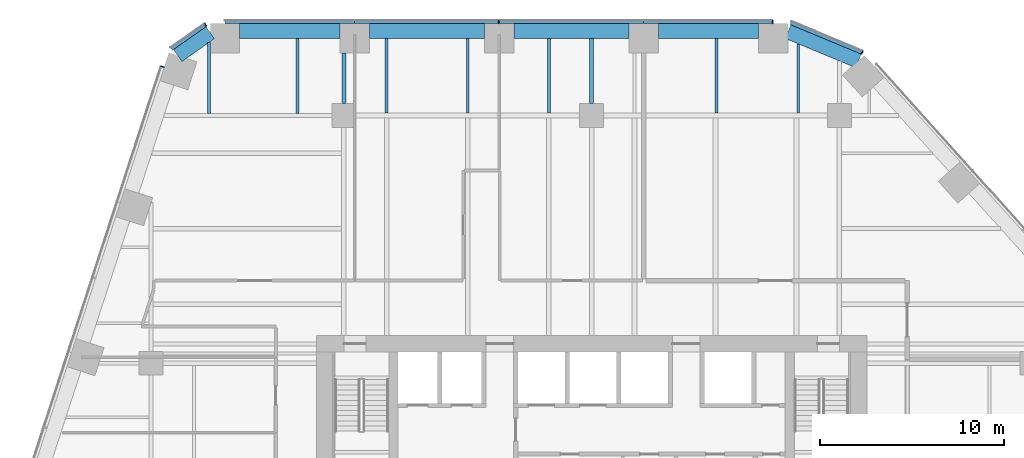
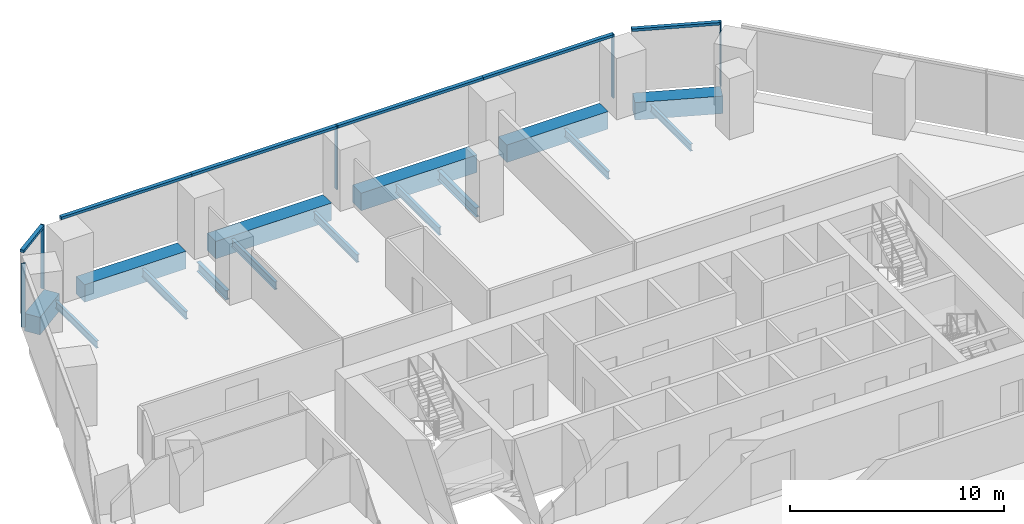
# One storey, part 12 of 19: 15 beams, 11 members, 4 elements without a shape of their own.
"""IFC4 building model written with IfcOpenShell, lengths in metres."""

from ifc_helpers import new_model, si_unit, direction, frame, origin, origin_2d, place, context, subcontext, project, spatial, rectangle, i_section, extrude, material, layer, layer_set, material_profile, profile_set, type_object, element, aggregate, save


model = new_model("IFC4")

# Units and contexts
model_context = context("Model", 3, precision=1e-05, world=origin(), true_north=direction((0.0, 1.0)))
body_context = subcontext(model_context, "Body", "Model", "MODEL_VIEW")
ifc_project = project(units=[si_unit("LENGTHUNIT", "METRE"), si_unit("AREAUNIT", "SQUARE_METRE"), si_unit("VOLUMEUNIT", "CUBIC_METRE"), si_unit("PLANEANGLEUNIT", "RADIAN"), si_unit("MASSUNIT", "GRAM", prefix="KILO")], contexts=[model_context])

# Site, building, storey
site_placement = place(None, origin())
site = spatial("IfcSite", under=ifc_project, at=site_placement, CompositionType="ELEMENT")
building_placement = place(site_placement, origin())
building = spatial("IfcBuilding", under=site, at=building_placement, Name="Isthmus Gate Tower", CompositionType="ELEMENT")
storey_placement = place(building_placement, frame((0.0, 0.0, 91.60009765625)))
storey = spatial("IfcBuildingStorey", under=building, at=storey_placement, Name="L21", CompositionType="ELEMENT", Elevation=91.60009765625)

# Curtain wall, members
ifc_material_1 = material(Name="Aluminium, pale champagne anodised", Category="aluminium")
ifc_layer = layer(ifc_material_1, 0.199951171875)
ifc_layer_set = layer_set([ifc_layer], Name="CW-1 UNITISED CURTAIN WALL 200 DEEP")
curtain_wall_type = type_object("IfcCurtainWallType", Name="CW-1 UNITISED CURTAIN WALL 200 DEEP", PredefinedType="NOTDEFINED", material=ifc_layer_set)
curtain_wall_1_placement = place(storey_placement, origin())
curtain_wall_1 = element("IfcCurtainWall", 1, at=curtain_wall_1_placement, inside=storey, type_object=curtain_wall_type, Name="CW-1 N L21", PredefinedType="NOTDEFINED")
ifc_material_2 = material(Name="Aluminium, pale champagne anodised", Category="aluminium")
ifc_material_profile_1 = material_profile(ifc_material_2, rectangle(XDim=0.06005859375, YDim=0.199951171875, at=origin_2d()), Name="60x200")
ifc_profile_set_1 = profile_set([ifc_material_profile_1], Name="Aluminium, pale champagne anodised")
member_type_1 = type_object("IfcMemberType", Name="CW-1 MULLION 60 X 200", PredefinedType="MULLION", material=ifc_profile_set_1)
member_1_placement = place(storey_placement, frame((9.871826171875, 32.10009765625, 0.0), z_axis=(0.0, 0.0, 1.0), x_axis=(-1.0, 0.0, 0.0)))
member_1 = element("IfcMember", 2, at=member_1_placement, type_object=member_type_1, Name="CW-1 mullion", PredefinedType="MULLION", context=body_context, shape_type="SweptSolid", body=[
    extrude(rectangle(XDim=0.06005859375, YDim=0.199951171875, at=origin_2d()), origin(), (0.0, 0.0, 1.0), 3.64990234375),
])
member_2_placement = place(storey_placement, frame((-5.067138671875, 32.10009765625, 0.0), z_axis=(0.0, 0.0, 1.0), x_axis=(-1.0, 0.0, 0.0)))
member_2 = element("IfcMember", 3, at=member_2_placement, type_object=member_type_1, Name="CW-1 mullion", PredefinedType="MULLION", context=body_context, shape_type="SweptSolid", body=[
    extrude(rectangle(XDim=0.06005859375, YDim=0.199951171875, at=origin_2d()), origin(), (0.0, 0.0, 1.0), 3.64990234375),
])

# Curtain wall, member
curtain_wall_2_placement = place(storey_placement, origin())
curtain_wall_2 = element("IfcCurtainWall", 4, at=curtain_wall_2_placement, inside=storey, type_object=curtain_wall_type, Name="CW-1 N-NW L21", PredefinedType="NOTDEFINED")
member_3_placement = place(storey_placement, frame((-21.031005859375, 31.943115234375, 0.0), z_axis=(0.0, 0.0, 1.0), x_axis=(-0.81785959165, -0.57541783805, 0.0)))
member_3 = element("IfcMember", 5, at=member_3_placement, type_object=member_type_1, Name="CW-1 mullion", PredefinedType="MULLION", context=body_context, shape_type="SweptSolid", body=[
    extrude(rectangle(XDim=0.06005859375, YDim=0.199951171875, at=origin_2d()), origin(), (0.0, 0.0, 1.0), 3.64990234375),
])

curtain_wall_3_placement = place(storey_placement, origin())
curtain_wall_3 = element("IfcCurtainWall", 6, at=curtain_wall_3_placement, inside=storey, type_object=curtain_wall_type, Name="CW-1 NW L21", PredefinedType="NOTDEFINED")
member_4_placement = place(storey_placement, frame((-23.380615234375, 29.656494140625, 0.0), z_axis=(0.0, 0.0, 1.0), x_axis=(-0.309016994375, -0.951056516295, 0.0)))
member_4 = element("IfcMember", 7, at=member_4_placement, type_object=member_type_1, Name="CW-1 mullion", PredefinedType="MULLION", context=body_context, shape_type="SweptSolid", body=[
    extrude(rectangle(XDim=0.06005859375, YDim=0.199951171875, at=origin_2d()), origin(), (0.0, 0.0, 1.0), 3.64990234375),
])
aggregate(curtain_wall_3, [member_4])

curtain_wall_4_placement = place(storey_placement, origin())
curtain_wall_4 = element("IfcCurtainWall", 8, at=curtain_wall_4_placement, inside=storey, type_object=curtain_wall_type, Name="CW-1 NE-N L21", PredefinedType="NOTDEFINED")
member_5_placement = place(storey_placement, frame((14.744140625, 30.427490234375, 0.0), z_axis=(0.0, 0.0, 1.0), x_axis=(-0.923353128387, 0.383951820282, 0.0)))
member_5 = element("IfcMember", 9, at=member_5_placement, type_object=member_type_1, Name="CW-1 mullion", PredefinedType="MULLION", context=body_context, shape_type="SweptSolid", body=[
    extrude(rectangle(XDim=0.06005859375, YDim=0.199951171875, at=origin_2d()), origin(), (0.0, 0.0, 1.0), 3.64990234375),
])

# Member
ifc_material_3 = material(Name="Aluminium, pale champagne anodised", Category="aluminium")
ifc_material_profile_2 = material_profile(ifc_material_3, rectangle(XDim=0.199951171875, YDim=0.14990234375, at=origin_2d()), Name="200x150")
ifc_profile_set_2 = profile_set([ifc_material_profile_2], Name="Aluminium, pale champagne anodised")
member_type_2 = type_object("IfcMemberType", Name="CW-1 TRANSOM 200 X 150", PredefinedType="USERDEFINED", material=ifc_profile_set_2)
member_6_placement = place(storey_placement, frame((9.841796875, 32.10009765625, 3.574951171875), z_axis=(-1.0, 0.0, 0.0), x_axis=(0.0, -1.0, 0.0)))
member_6 = element("IfcMember", 10, at=member_6_placement, type_object=member_type_2, Name="CW-1 transom", ObjectType="TRANSOM", PredefinedType="USERDEFINED", context=body_context, shape_type="SweptSolid", body=[
    extrude(rectangle(XDim=0.199951171875, YDim=0.14990234375, at=origin_2d()), origin(), (0.0, 0.0, 1.0), 7.009521484375),
])

member_7_placement = place(storey_placement, frame((2.832275390625, 32.10009765625, 3.574951171875), z_axis=(-1.0, 0.0, 0.0), x_axis=(0.0, -1.0, 0.0)))
member_7 = element("IfcMember", 11, at=member_7_placement, type_object=member_type_2, Name="CW-1 transom", ObjectType="TRANSOM", PredefinedType="USERDEFINED", context=body_context, shape_type="SweptSolid", body=[
    extrude(rectangle(XDim=0.199951171875, YDim=0.14990234375, at=origin_2d()), origin(), (0.0, 0.0, 1.0), 7.869384765625),
])

member_8_placement = place(storey_placement, frame((-5.09716796875, 32.10009765625, 3.574951171875), z_axis=(-1.0, 0.0, 0.0), x_axis=(0.0, -1.0, 0.0)))
member_8 = element("IfcMember", 12, at=member_8_placement, type_object=member_type_2, Name="CW-1 transom", ObjectType="TRANSOM", PredefinedType="USERDEFINED", context=body_context, shape_type="SweptSolid", body=[
    extrude(rectangle(XDim=0.199951171875, YDim=0.14990234375, at=origin_2d()), origin(), (0.0, 0.0, 1.0), 7.8095703125),
])

member_9_placement = place(storey_placement, frame((-12.90673828125, 32.10009765625, 3.574951171875), z_axis=(-1.0, 0.0, 0.0), x_axis=(0.0, -1.0, 0.0)))
member_9 = element("IfcMember", 13, at=member_9_placement, type_object=member_type_2, Name="CW-1 transom", ObjectType="TRANSOM", PredefinedType="USERDEFINED", context=body_context, shape_type="SweptSolid", body=[
    extrude(rectangle(XDim=0.199951171875, YDim=0.14990234375, at=origin_2d()), origin(), (0.0, 0.0, 1.0), 7.069580078125),
])

aggregate(curtain_wall_1, [member_1, member_6, member_7, member_2, member_8, member_9])

member_10_placement = place(storey_placement, frame((-21.055419921875, 31.92578125, 3.574951171875), z_axis=(-0.817868595604, -0.575405040233, 0.0), x_axis=(0.575405040233, -0.817868595604, 0.0)))
member_10 = element("IfcMember", 14, at=member_10_placement, type_object=member_type_2, Name="CW-1 transom", ObjectType="TRANSOM", PredefinedType="USERDEFINED", context=body_context, shape_type="SweptSolid", body=[
    extrude(rectangle(XDim=0.199951171875, YDim=0.14990234375, at=origin_2d()), origin(), (0.0, 0.0, 1.0), 2.258544921875),
])

aggregate(curtain_wall_2, [member_3, member_10])

member_11_placement = place(storey_placement, frame((14.716552734375, 30.43896484375, 3.574951171875), z_axis=(-0.923358236369, 0.383939536033, 0.0), x_axis=(-0.383939536033, -0.923358236369, 0.0)))
member_11 = element("IfcMember", 15, at=member_11_placement, type_object=member_type_2, Name="CW-1 transom", ObjectType="TRANSOM", PredefinedType="USERDEFINED", context=body_context, shape_type="SweptSolid", body=[
    extrude(rectangle(XDim=0.199951171875, YDim=0.14990234375, at=origin_2d()), origin(), (0.0, 0.0, 1.0), 4.181640625),
])

aggregate(curtain_wall_4, [member_5, member_11])

# Beams
ifc_material_4 = material(Name="Concrete f'c 70 MPa", Category="concrete")
ifc_material_profile_3 = material_profile(ifc_material_4, rectangle(XDim=0.800048828125, YDim=1.0, at=origin_2d()), Name="RC 800X1000")
ifc_profile_set_3 = profile_set([ifc_material_profile_3], Name="Concrete f'c 70 MPa")
beam_type_1 = type_object("IfcBeamType", Name="RC SPANDREL 800 X 1000", PredefinedType="SPANDREL", material=ifc_profile_set_3)
beam_1_placement = place(storey_placement, frame((10.701904296875, 31.56689453125, -0.5), z_axis=(0.923334166719, -0.383997417399, 0.0), x_axis=(0.383997417399, 0.923334166719, 0.0)))
element("IfcBeam", 16, at=beam_1_placement, inside=storey, type_object=beam_type_1, Name="str-spandrel-L21-00", PredefinedType="SPANDREL", context=body_context, shape_type="SweptSolid", body=[
    extrude(rectangle(XDim=0.800048828125, YDim=1.0, at=origin_2d()), origin(), (0.0, 0.0, 1.0), 4.15234375),
])
beam_2_placement = place(storey_placement, frame((-22.553466796875, 30.260498046875, -0.5), z_axis=(0.817857331203, 0.575421050882, 0.0), x_axis=(-0.575421050882, 0.817857331203, 0.0)))
element("IfcBeam", 17, at=beam_2_placement, inside=storey, type_object=beam_type_1, Name="str-spandrel-L21-22", PredefinedType="SPANDREL", context=body_context, shape_type="SweptSolid", body=[
    extrude(rectangle(XDim=0.800048828125, YDim=1.0, at=origin_2d()), origin(), (0.0, 0.0, 1.0), 2.173095703125),
])
beam_3_placement = place(storey_placement, frame((-19.17626953125, 31.60009765625, -0.5), z_axis=(1.0, 0.0, 0.0), x_axis=(0.0, 1.0, 0.0)))
element("IfcBeam", 18, at=beam_3_placement, inside=storey, type_object=beam_type_1, Name="str-spandrel-L21-23", PredefinedType="SPANDREL", context=body_context, shape_type="SweptSolid", body=[
    extrude(rectangle(XDim=0.800048828125, YDim=1.0, at=origin_2d()), origin(), (0.0, 0.0, 1.0), 5.469482421875),
])
for number, where, z_axis, x_axis, name in (
    (19, (-12.106689453125, 31.60009765625, -0.5), (1.0, 0.0, 0.0), (0.0, 1.0, 0.0), "str-spandrel-L21-24"),
    (20, (-4.2373046875, 31.60009765625, -0.5), (1.0, 0.0, 0.0), (0.0, 1.0, 0.0), "str-spandrel-L21-25"),
):
    element("IfcBeam", number, at=place(storey_placement, frame(where, z_axis=z_axis, x_axis=x_axis)), inside=storey, type_object=beam_type_1, Name=name, PredefinedType="SPANDREL", context=body_context, shape_type="SweptSolid", body=[
        extrude(rectangle(XDim=0.800048828125, YDim=1.0, at=origin_2d()), origin(), (0.0, 0.0, 1.0), 6.26953125),
    ])
beam_4_placement = place(storey_placement, frame((3.63232421875, 31.60009765625, -0.5), z_axis=(1.0, 0.0, 0.0), x_axis=(0.0, 1.0, 0.0)))
element("IfcBeam", 21, at=beam_4_placement, inside=storey, type_object=beam_type_1, Name="str-spandrel-L21-26", PredefinedType="SPANDREL", context=body_context, shape_type="SweptSolid", body=[
    extrude(rectangle(XDim=0.800048828125, YDim=1.0, at=origin_2d()), origin(), (0.0, 0.0, 1.0), 5.469482421875),
])
ifc_material_5 = material(Name="Structural steel ASTM A992 Gr 50", Category="steel")
ifc_material_profile_4 = material_profile(ifc_material_5, i_section(OverallWidth=0.1396484375, OverallDepth=0.4033203125, WebThickness=0.00634765625, FlangeThickness=0.010986328125, at=origin_2d()), Name="W16X31")
ifc_profile_set_4 = profile_set([ifc_material_profile_4], Name="Structural steel ASTM A992 Gr 50")
beam_type_2 = type_object("IfcBeamType", Name="STEEL FLOOR BEAM W16X31", PredefinedType="JOIST", material=ifc_profile_set_4)
beam_5_placement = place(storey_placement, frame((-20.846435546875, 27.1142578125, -0.351806640625), z_axis=(0.0, 1.0, 0.0), x_axis=(-1.0, 0.0, 0.0)))
element("IfcBeam", 22, at=beam_5_placement, inside=storey, type_object=beam_type_2, Name="str-beam-L21-09-00", PredefinedType="JOIST", context=body_context, shape_type="SweptSolid", body=[
    extrude(i_section(OverallWidth=0.1396484375, OverallDepth=0.4033203125, WebThickness=0.00634765625, FlangeThickness=0.010986328125, at=origin_2d()), origin(), (0.0, 0.0, 1.0), 3.858154296875),
])
beam_6_placement = place(storey_placement, frame((11.267578125, 27.1318359375, -0.351806640625), z_axis=(0.0, 1.0, 0.0), x_axis=(-1.0, 0.0, 0.0)))
element("IfcBeam", 23, at=beam_6_placement, inside=storey, type_object=beam_type_2, Name="str-beam-L21-20-02", PredefinedType="JOIST", context=body_context, shape_type="SweptSolid", body=[
    extrude(i_section(OverallWidth=0.1396484375, OverallDepth=0.4033203125, WebThickness=0.00634765625, FlangeThickness=0.010986328125, at=origin_2d()), origin(), (0.0, 0.0, 1.0), 3.7666015625),
])
ifc_material_6 = material(Name="Structural steel ASTM A992 Gr 50", Category="steel")
ifc_material_profile_5 = material_profile(ifc_material_6, i_section(OverallWidth=0.15234375, OverallDepth=0.45068359375, WebThickness=0.0078125, FlangeThickness=0.010986328125, at=origin_2d()), Name="W18X35")
ifc_profile_set_5 = profile_set([ifc_material_profile_5], Name="Structural steel ASTM A992 Gr 50")
beam_type_3 = type_object("IfcBeamType", Name="STEEL FLOOR BEAM W18X35", PredefinedType="JOIST", material=ifc_profile_set_5)
beam_7_placement = place(storey_placement, frame((-16.0185546875, 27.1142578125, -0.37548828125), z_axis=(0.0, 1.0, 0.0), x_axis=(-1.0, 0.0, 0.0)))
element("IfcBeam", 24, at=beam_7_placement, inside=storey, type_object=beam_type_3, Name="str-beam-L21-09-01", PredefinedType="JOIST", context=body_context, shape_type="SweptSolid", body=[
    extrude(i_section(OverallWidth=0.15234375, OverallDepth=0.45068359375, WebThickness=0.0078125, FlangeThickness=0.010986328125, at=origin_2d()), origin(), (0.0, 0.0, 1.0), 4.085693359375),
])
for number, where, z_axis, x_axis, name in (
    (25, (-11.18017578125, 27.1318359375, -0.37548828125), (0.0, 1.0, 0.0), (-1.0, 0.0, 0.0), "str-beam-L21-15-00"),
    (26, (-6.75, 27.1318359375, -0.37548828125), (0.0, 1.0, 0.0), (-1.0, 0.0, 0.0), "str-beam-L21-15-01"),
    (27, (-2.31982421875, 27.1318359375, -0.37548828125), (0.0, 1.0, 0.0), (-1.0, 0.0, 0.0), "str-beam-L21-15-02"),
    (28, (6.802490234375, 27.1318359375, -0.37548828125), (0.0, 1.0, 0.0), (-1.0, 0.0, 0.0), "str-beam-L21-20-01"),
):
    element("IfcBeam", number, at=place(storey_placement, frame(where, z_axis=z_axis, x_axis=x_axis)), inside=storey, type_object=beam_type_3, Name=name, PredefinedType="JOIST", context=body_context, shape_type="SweptSolid", body=[
        extrude(i_section(OverallWidth=0.15234375, OverallDepth=0.45068359375, WebThickness=0.0078125, FlangeThickness=0.010986328125, at=origin_2d()), origin(), (0.0, 0.0, 1.0), 4.068115234375),
    ])
ifc_material_7 = material(Name="Structural steel ASTM A992 Gr 50", Category="steel")
ifc_material_profile_6 = material_profile(ifc_material_7, i_section(OverallWidth=0.20947265625, OverallDepth=0.533447265625, WebThickness=0.009521484375, FlangeThickness=0.015869140625, at=origin_2d()), Name="W21X62")
ifc_profile_set_6 = profile_set([ifc_material_profile_6], Name="Structural steel ASTM A992 Gr 50")
beam_type_4 = type_object("IfcBeamType", Name="STEEL GIRDER W21X62", PredefinedType="BEAM", material=ifc_profile_set_6)
beam_8_placement = place(storey_placement, frame((-13.5, 27.64990234375, -0.416748046875), z_axis=(0.0, 1.0, 0.0), x_axis=(-1.0, 0.0, 0.0)))
element("IfcBeam", 29, at=beam_8_placement, inside=storey, type_object=beam_type_4, Name="str-girder-L21-28", PredefinedType="BEAM", context=body_context, shape_type="SweptSolid", body=[
    extrude(i_section(OverallWidth=0.20947265625, OverallDepth=0.533447265625, WebThickness=0.009521484375, FlangeThickness=0.015869140625, at=origin_2d()), origin(), (0.0, 0.0, 1.0), 2.75),
])
beam_9_placement = place(storey_placement, frame((0.0, 27.64990234375, -0.416748046875), z_axis=(0.0, 1.0, 0.0), x_axis=(-1.0, 0.0, 0.0)))
element("IfcBeam", 30, at=beam_9_placement, inside=storey, type_object=beam_type_4, Name="str-girder-L21-31", PredefinedType="BEAM", context=body_context, shape_type="SweptSolid", body=[
    extrude(i_section(OverallWidth=0.20947265625, OverallDepth=0.533447265625, WebThickness=0.009521484375, FlangeThickness=0.015869140625, at=origin_2d()), origin(), (0.0, 0.0, 1.0), 3.550048828125),
])

save(model, "model.ifc")
